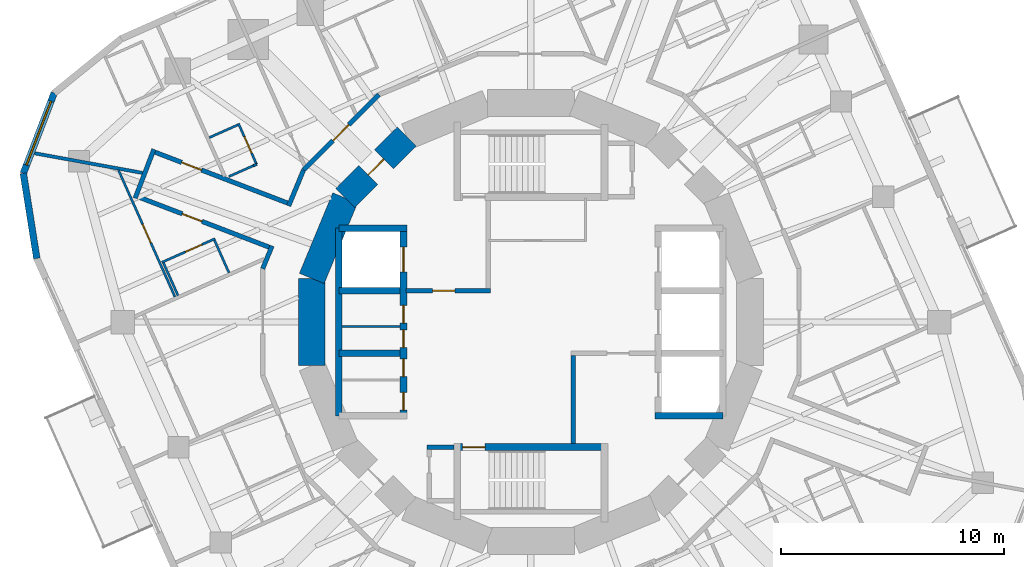
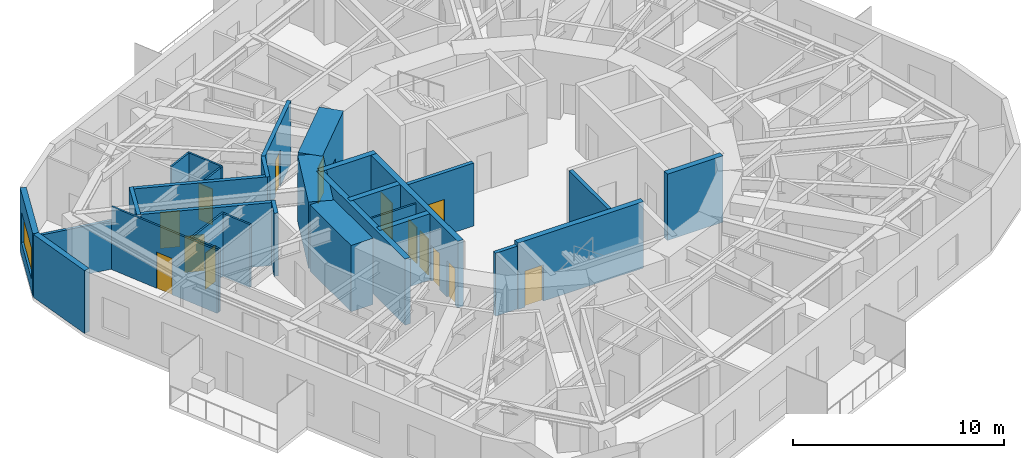
# One storey, part 6 of 12: 31 walls, 14 doors, 1 window, 15 openings.
"""IFC4 building model written with IfcOpenShell, lengths in metres."""

from ifc_helpers import new_model, si_unit, direction, frame, frame_2d, origin, place, context, subcontext, project, spatial, rectangle, extrude, material, layer, layer_set, type_object, element, fill, save


model = new_model("IFC4")

# Units and contexts
model_context = context("Model", 3, precision=1e-05, world=origin(), true_north=direction((0.0, 1.0)))
body_context = subcontext(model_context, "Body", "Model", "MODEL_VIEW")
ifc_project = project(units=[si_unit("LENGTHUNIT", "METRE"), si_unit("AREAUNIT", "SQUARE_METRE"), si_unit("VOLUMEUNIT", "CUBIC_METRE"), si_unit("PLANEANGLEUNIT", "RADIAN"), si_unit("MASSUNIT", "GRAM", prefix="KILO")], contexts=[model_context])

# Site, building, storey
site_placement = place(None, origin())
site = spatial("IfcSite", under=ifc_project, at=site_placement, CompositionType="ELEMENT")
building_placement = place(site_placement, origin())
building = spatial("IfcBuilding", under=site, at=building_placement, Name="Nakasero Lantern House", CompositionType="ELEMENT")
storey_placement = place(building_placement, frame((0.0, 0.0, 213.25)))
storey = spatial("IfcBuildingStorey", under=building, at=storey_placement, Name="L52", CompositionType="ELEMENT", Elevation=213.25)

# Wall, openings, doors
ifc_material_1 = material(Name="Concrete C50/60", Category="concrete")
ifc_layer_1 = layer(ifc_material_1, 0.300048828125)
ifc_layer_set_1 = layer_set([ifc_layer_1], Name="Core inner wall 300")
wall_type_1 = type_object("IfcWallType", Name="Core inner wall 300", PredefinedType="SHEAR", material=ifc_layer_set_1)
wall_1_placement = place(storey_placement, frame((-5.699951171875, -4.199951171875, 0.0), z_axis=(0.0, 0.0, 1.0), x_axis=(0.0, 1.0, 0.0)))
wall_1 = element("IfcWall", 1, at=wall_1_placement, inside=storey, type_object=wall_type_1, Name="Core inner wall L52 LW", PredefinedType="SHEAR", context=body_context, shape_type="SweptSolid", body=[
    extrude(rectangle(XDim=8.39990234375, YDim=0.300048828125, at=frame_2d((4.199951171875, 0.0))), origin(), (0.0, 0.0, 1.0), 3.85009765625),
])
opening_1_placement = place(wall_1_placement, frame((0.25, 0.0, 0.0)))
opening_1 = element("IfcOpeningElement", 2, at=opening_1_placement, cuts=wall_1, Name="Opening D19", PredefinedType="OPENING", context=body_context, shape_type="SweptSolid", body=[
    extrude(rectangle(XDim=0.800048828125, YDim=2.10009765625, at=frame_2d((0.39990234375, 1.050048828125))), frame((0.0, 0.169921875, 0.0), z_axis=(0.0, -1.0, 0.0), x_axis=(1.0, 0.0, 0.0)), (0.0, 0.0, 1.0), 0.340087890625),
])
opening_2_placement = place(wall_1_placement, frame((1.75, 0.0, 0.0)))
opening_2 = element("IfcOpeningElement", 3, at=opening_2_placement, cuts=wall_1, Name="Opening D15", PredefinedType="OPENING", context=body_context, shape_type="SweptSolid", body=[
    extrude(rectangle(XDim=0.800048828125, YDim=2.10009765625, at=frame_2d((0.39990234375, 1.050048828125))), frame((0.0, 0.169921875, 0.0), z_axis=(0.0, -1.0, 0.0), x_axis=(1.0, 0.0, 0.0)), (0.0, 0.0, 1.0), 0.340087890625),
])
opening_3_placement = place(wall_1_placement, frame((3.050048828125, 0.0, 0.0)))
opening_3 = element("IfcOpeningElement", 4, at=opening_3_placement, cuts=wall_1, Name="Opening D15", PredefinedType="OPENING", context=body_context, shape_type="SweptSolid", body=[
    extrude(rectangle(XDim=0.800048828125, YDim=2.10009765625, at=frame_2d((0.39990234375, 1.050048828125))), frame((0.0, 0.169921875, 0.0), z_axis=(0.0, -1.0, 0.0), x_axis=(1.0, 0.0, 0.0)), (0.0, 0.0, 1.0), 0.340087890625),
])
opening_4_placement = place(wall_1_placement, frame((4.14990234375, 0.0, 0.0)))
opening_4 = element("IfcOpeningElement", 5, at=opening_4_placement, cuts=wall_1, Name="Opening D15", PredefinedType="OPENING", context=body_context, shape_type="SweptSolid", body=[
    extrude(rectangle(XDim=0.800048828125, YDim=2.10009765625, at=frame_2d((0.39990234375, 1.050048828125))), frame((0.0, 0.169921875, 0.0), z_axis=(0.0, -1.0, 0.0), x_axis=(1.0, 0.0, 0.0)), (0.0, 0.0, 1.0), 0.340087890625),
])
opening_5_placement = place(wall_1_placement, frame((6.449951171875, 0.0, 0.0)))
opening_5 = element("IfcOpeningElement", 6, at=opening_5_placement, cuts=wall_1, Name="Opening LD", PredefinedType="OPENING", context=body_context, shape_type="SweptSolid", body=[
    extrude(rectangle(XDim=1.10009765625, YDim=2.10009765625, at=frame_2d((0.550048828125, 1.050048828125))), frame((0.0, 0.169921875, 0.0), z_axis=(0.0, -1.0, 0.0), x_axis=(1.0, 0.0, 0.0)), (0.0, 0.0, 1.0), 0.340087890625),
])
ifc_material_2 = material(Name="Timber C24", Category="wood")
door_type_1 = type_object("IfcDoorType", Name="Cleaner's store door FD30S 800", OperationType="SINGLE_SWING_LEFT", PredefinedType="DOOR", material=ifc_material_2)
door_1_placement = place(opening_2_placement, origin())
door_1 = element("IfcDoor", 7, at=door_1_placement, inside=storey, type_object=door_type_1, Name="Door L52 D-SH-LW1b", OperationType="SINGLE_SWING_LEFT", OverallHeight=2.10009765625, OverallWidth=0.800048828125, PredefinedType="DOOR", context=body_context, shape_type="SweptSolid", body=[
    extrude(rectangle(XDim=0.800048828125, YDim=2.10009765625, at=frame_2d((0.39990234375, 1.050048828125))), frame((0.0, 0.02490234375, 0.0), z_axis=(0.0, -1.0, 0.0), x_axis=(1.0, 0.0, 0.0)), (0.0, 0.0, 1.0), 0.050048828125),
])
fill(opening_2, door_1)
door_2_placement = place(opening_3_placement, origin())
door_2 = element("IfcDoor", 8, at=door_2_placement, inside=storey, type_object=door_type_1, Name="Door L52 D-SH-LW2a", OperationType="SINGLE_SWING_LEFT", OverallHeight=2.10009765625, OverallWidth=0.800048828125, PredefinedType="DOOR", context=body_context, shape_type="SweptSolid", body=[
    extrude(rectangle(XDim=0.800048828125, YDim=2.10009765625, at=frame_2d((0.39990234375, 1.050048828125))), frame((0.0, 0.02490234375, 0.0), z_axis=(0.0, -1.0, 0.0), x_axis=(1.0, 0.0, 0.0)), (0.0, 0.0, 1.0), 0.050048828125),
])
fill(opening_3, door_2)
door_3_placement = place(opening_4_placement, origin())
door_3 = element("IfcDoor", 9, at=door_3_placement, inside=storey, type_object=door_type_1, Name="Door L52 D-SH-LW2b", OperationType="SINGLE_SWING_RIGHT", OverallHeight=2.10009765625, OverallWidth=0.800048828125, PredefinedType="DOOR", context=body_context, shape_type="SweptSolid", body=[
    extrude(rectangle(XDim=0.800048828125, YDim=2.10009765625, at=frame_2d((0.39990234375, 1.050048828125))), frame((0.0, 0.02490234375, 0.0), z_axis=(0.0, -1.0, 0.0), x_axis=(1.0, 0.0, 0.0)), (0.0, 0.0, 1.0), 0.050048828125),
])
fill(opening_4, door_3)
ifc_material_3 = material(Name="Steel S355", Category="steel")
door_type_2 = type_object("IfcDoorType", Name="Lift landing door E120 1100", OperationType="SLIDING_TO_LEFT", PredefinedType="DOOR", material=ifc_material_3)
door_4_placement = place(opening_5_placement, origin())
door_4 = element("IfcDoor", 10, at=door_4_placement, inside=storey, type_object=door_type_2, Name="Lift landing door LW3", OperationType="SLIDING_TO_LEFT", OverallHeight=2.10009765625, OverallWidth=1.10009765625, PredefinedType="DOOR", context=body_context, shape_type="SweptSolid", body=[
    extrude(rectangle(XDim=1.10009765625, YDim=2.10009765625, at=frame_2d((0.550048828125, 1.050048828125))), frame((0.0, 0.02490234375, 0.0), z_axis=(0.0, -1.0, 0.0), x_axis=(1.0, 0.0, 0.0)), (0.0, 0.0, 1.0), 0.050048828125),
])
fill(opening_5, door_4)
ifc_material_4 = material(Name="Steel S355", Category="steel")
door_type_3 = type_object("IfcDoorType", Name="Plant room door FD60 800", OperationType="SINGLE_SWING_LEFT", PredefinedType="DOOR", material=ifc_material_4)
door_5_placement = place(opening_1_placement, origin())
door_5 = element("IfcDoor", 11, at=door_5_placement, inside=storey, type_object=door_type_3, Name="Door L52 D-SH-LW1a", OperationType="SINGLE_SWING_LEFT", OverallHeight=2.10009765625, OverallWidth=0.800048828125, PredefinedType="DOOR", context=body_context, shape_type="SweptSolid", body=[
    extrude(rectangle(XDim=0.800048828125, YDim=2.10009765625, at=frame_2d((0.39990234375, 1.050048828125))), frame((0.0, 0.02490234375, 0.0), z_axis=(0.0, -1.0, 0.0), x_axis=(1.0, 0.0, 0.0)), (0.0, 0.0, 1.0), 0.050048828125),
])
fill(opening_1, door_5)

# Walls
for number, where, z_axis, x_axis, name in (
    (12, (-8.60009765625, 4.199951171875, 0.0), (0.0, 0.0, 1.0), (1.0, 0.0, 0.0), "Core inner wall L52 LWN"),
    (13, (5.550048828125, -4.199951171875, 0.0), (0.0, 0.0, 1.0), (1.0, 0.0, 0.0), "Core inner wall L52 LES"),
):
    element("IfcWall", number, at=place(storey_placement, frame(where, z_axis=z_axis, x_axis=x_axis)), inside=storey, type_object=wall_type_1, Name=name, PredefinedType="SHEAR", context=body_context, shape_type="SweptSolid", body=[
        extrude(rectangle(XDim=3.050048828125, YDim=0.300048828125, at=frame_2d((1.52490234375, 0.0))), origin(), (0.0, 0.0, 1.0), 3.85009765625),
    ])
wall_2_placement = place(storey_placement, frame((-8.60009765625, -4.199951171875, 0.0), z_axis=(0.0, 0.0, 1.0), x_axis=(0.0, 1.0, 0.0)))
element("IfcWall", 14, at=wall_2_placement, inside=storey, type_object=wall_type_1, Name="Core inner wall L52 LWB", PredefinedType="SHEAR", context=body_context, shape_type="SweptSolid", body=[
    extrude(rectangle(XDim=8.39990234375, YDim=0.300048828125, at=frame_2d((4.199951171875, 0.0))), origin(), (0.0, 0.0, 1.0), 3.85009765625),
])
for number, where, z_axis, x_axis, name in (
    (15, (-8.60009765625, -1.39990234375, 0.0), (0.0, 0.0, 1.0), (1.0, 0.0, 0.0), "Core inner wall L52 LW1"),
    (16, (-8.60009765625, 1.39990234375, 0.0), (0.0, 0.0, 1.0), (1.0, 0.0, 0.0), "Core inner wall L52 LW2"),
):
    element("IfcWall", number, at=place(storey_placement, frame(where, z_axis=z_axis, x_axis=x_axis)), inside=storey, type_object=wall_type_1, Name=name, PredefinedType="SHEAR", context=body_context, shape_type="SweptSolid", body=[
        extrude(rectangle(XDim=2.75, YDim=0.300048828125, at=frame_2d((1.375, 0.0))), origin(), (0.0, 0.0, 1.0), 3.85009765625),
    ])

# Wall, opening, door
wall_3_placement = place(storey_placement, frame((-3.449951171875, -5.60009765625, 0.0), z_axis=(0.0, 0.0, 1.0), x_axis=(1.0, 0.0, 0.0)))
wall_3 = element("IfcWall", 17, at=wall_3_placement, inside=storey, type_object=wall_type_1, Name="Core inner wall L52 SS", PredefinedType="SHEAR", context=body_context, shape_type="SweptSolid", body=[
    extrude(rectangle(XDim=6.89990234375, YDim=0.300048828125, at=frame_2d((3.449951171875, 0.0))), origin(), (0.0, 0.0, 1.0), 3.85009765625),
])
opening_6_placement = place(wall_3_placement, frame((0.39990234375, 0.0, 0.0)))
opening_6 = element("IfcOpeningElement", 18, at=opening_6_placement, cuts=wall_3, Name="Opening D05", PredefinedType="OPENING", context=body_context, shape_type="SweptSolid", body=[
    extrude(rectangle(XDim=1.0, YDim=2.10009765625, at=frame_2d((0.5, 1.050048828125))), frame((0.0, 0.169921875, 0.0), z_axis=(0.0, -1.0, 0.0), x_axis=(1.0, 0.0, 0.0)), (0.0, 0.0, 1.0), 0.340087890625),
])
ifc_material_5 = material(Name="Timber C24", Category="wood")
door_type_4 = type_object("IfcDoorType", Name="Core door FD60S 1000", OperationType="SINGLE_SWING_LEFT", PredefinedType="DOOR", material=ifc_material_5)
door_6_placement = place(opening_6_placement, origin())
door_6 = element("IfcDoor", 19, at=door_6_placement, inside=storey, type_object=door_type_4, Name="Door L52 D-ST2", OperationType="SINGLE_SWING_LEFT", OverallHeight=2.10009765625, OverallWidth=1.0, PredefinedType="DOOR", context=body_context, shape_type="SweptSolid", body=[
    extrude(rectangle(XDim=1.0, YDim=2.10009765625, at=frame_2d((0.5, 1.050048828125))), frame((0.0, 0.02490234375, 0.0), z_axis=(0.0, -1.0, 0.0), x_axis=(1.0, 0.0, 0.0)), (0.0, 0.0, 1.0), 0.050048828125),
])
fill(opening_6, door_6)

# Wall
ifc_material_6 = material(Name="Blockwork", Category="masonry")
ifc_layer_2 = layer(ifc_material_6, 0.10009765625)
ifc_layer_set_2 = layer_set([ifc_layer_2], Name="Core room wall 100")
wall_type_2 = type_object("IfcWallType", Name="Core room wall 100", PredefinedType="PARTITIONING", material=ifc_layer_set_2)
wall_4_placement = place(storey_placement, frame((-8.449951171875, -0.199951171875, 0.0), z_axis=(0.0, 0.0, 1.0), x_axis=(1.0, 0.0, 0.0)))
element("IfcWall", 20, at=wall_4_placement, inside=storey, type_object=wall_type_2, Name="Core room wall L52 CR-SH-LW2b", PredefinedType="PARTITIONING", context=body_context, shape_type="SweptSolid", body=[
    extrude(rectangle(XDim=2.599853515625, YDim=0.10009765625, at=frame_2d((1.2998046875, 0.0))), origin(), (0.0, 0.0, 1.0), 3.64990234375),
])

# Wall, opening, door
ifc_material_7 = material(Name="Concrete C50/60", Category="concrete")
ifc_layer_3 = layer(ifc_material_7, 1.199951171875)
ifc_layer_set_3 = layer_set([ifc_layer_3], Name="Core wall 1200")
wall_type_3 = type_object("IfcWallType", Name="Core wall 1200", PredefinedType="SHEAR", material=ifc_layer_set_3)
wall_5_placement = place(storey_placement, frame((-5.5556640625, 8.314697265625, 0.0), z_axis=(0.0, 0.0, 1.0), x_axis=(-0.707106781187, -0.707106781187, 0.0)))
wall_5 = element("IfcWall", 21, at=wall_5_placement, inside=storey, type_object=wall_type_3, Name="Core wall L52 facet 6", PredefinedType="SHEAR", context=body_context, shape_type="SweptSolid", body=[
    extrude(rectangle(XDim=3.90185546875, YDim=1.199951171875, at=frame_2d((1.950927734375, 0.0))), origin(), (0.0, 0.0, 1.0), 3.85009765625),
])
opening_7_placement = place(wall_5_placement, frame((1.450927734375, 0.0, 0.0)))
opening_7 = element("IfcOpeningElement", 22, at=opening_7_placement, cuts=wall_5, Name="Opening D05", PredefinedType="OPENING", context=body_context, shape_type="SweptSolid", body=[
    extrude(rectangle(XDim=1.0, YDim=2.10009765625, at=frame_2d((0.5, 1.050048828125))), frame((0.0, 0.619873046875, 0.0), z_axis=(0.0, -1.0, 0.0), x_axis=(1.0, 0.0, 0.0)), (0.0, 0.0, 1.0), 1.239990234375),
])
door_7_placement = place(opening_7_placement, origin())
door_7 = element("IfcDoor", 23, at=door_7_placement, inside=storey, type_object=door_type_4, Name="Door L52 D-CORE06", OperationType="SINGLE_SWING_LEFT", OverallHeight=2.10009765625, OverallWidth=1.0, PredefinedType="DOOR", context=body_context, shape_type="SweptSolid", body=[
    extrude(rectangle(XDim=1.0, YDim=2.10009765625, at=frame_2d((0.5, 1.050048828125))), frame((0.0, 0.02490234375, 0.0), z_axis=(0.0, -1.0, 0.0), x_axis=(1.0, 0.0, 0.0)), (0.0, 0.0, 1.0), 0.050048828125),
])
fill(opening_7, door_7)

# Walls
for number, where, z_axis, x_axis, name in (
    (24, (-8.314697265625, 5.5556640625, 0.0), (0.0, 0.0, 1.0), (-0.382690736062, -0.923876507187, 0.0), "Core wall L52 facet 7"),
    (25, (-9.807861328125, 1.950927734375, 0.0), (0.0, 0.0, 1.0), (0.0, -1.0, 0.0), "Core wall L52 facet 8"),
):
    element("IfcWall", number, at=place(storey_placement, frame(where, z_axis=z_axis, x_axis=x_axis)), inside=storey, type_object=wall_type_3, Name=name, PredefinedType="SHEAR", context=body_context, shape_type="SweptSolid", body=[
        extrude(rectangle(XDim=3.90185546875, YDim=1.199951171875, at=frame_2d((1.950927734375, 0.0))), origin(), (0.0, 0.0, 1.0), 3.85009765625),
    ])
ifc_material_8 = material(Name="Blockwork", Category="masonry")
ifc_layer_4 = layer(ifc_material_8, 0.199951171875)
ifc_layer_set_4 = layer_set([ifc_layer_4], Name="Corridor wall 200")
wall_type_4 = type_object("IfcWallType", Name="Corridor wall 200", PredefinedType="PARTITIONING", material=ifc_layer_set_4)
wall_6_placement = place(storey_placement, frame((-12.0078125, 2.388427734375, 0.0), z_axis=(0.0, 0.0, 1.0), x_axis=(0.382651327736, 0.923892830031, 0.0)))
element("IfcWall", 26, at=wall_6_placement, inside=storey, type_object=wall_type_4, Name="Corridor wall L52 RC09a", PredefinedType="PARTITIONING", context=body_context, shape_type="SweptSolid", body=[
    extrude(rectangle(XDim=1.103759765625, YDim=0.199951171875, at=frame_2d((0.5517578125, 0.0))), origin(), (0.0, 0.0, 1.0), 3.64990234375),
])
wall_7_placement = place(storey_placement, frame((-10.8427734375, 5.201171875, 0.0), z_axis=(0.0, 0.0, 1.0), x_axis=(0.382683633391, 0.923879449244, 0.0)))
element("IfcWall", 27, at=wall_7_placement, inside=storey, type_object=wall_type_4, Name="Corridor wall L52 RC09b", PredefinedType="PARTITIONING", context=body_context, shape_type="SweptSolid", body=[
    extrude(rectangle(XDim=1.732666015625, YDim=0.199951171875, at=frame_2d((0.8662109375, 0.0))), origin(), (0.0, 0.0, 1.0), 3.64990234375),
])

# Wall, opening, door
wall_8_placement = place(storey_placement, frame((-10.1796875, 6.802001953125, 0.0), z_axis=(0.0, 0.0, 1.0), x_axis=(0.707106781187, 0.707106781187, 0.0)))
wall_8 = element("IfcWall", 28, at=wall_8_placement, inside=storey, type_object=wall_type_4, Name="Corridor wall L52 RC10a", PredefinedType="PARTITIONING", context=body_context, shape_type="SweptSolid", body=[
    extrude(rectangle(XDim=4.77685546875, YDim=0.199951171875, at=frame_2d((2.388427734375, 0.0))), origin(), (0.0, 0.0, 1.0), 3.64990234375),
])
opening_8_placement = place(wall_8_placement, frame((1.8701171875, 0.0, 0.0)))
opening_8 = element("IfcOpeningElement", 29, at=opening_8_placement, cuts=wall_8, Name="Opening D14", PredefinedType="OPENING", context=body_context, shape_type="SweptSolid", body=[
    extrude(rectangle(XDim=1.0, YDim=2.10009765625, at=frame_2d((0.5, 1.050048828125))), frame((0.0, 0.119873046875, 0.0), z_axis=(0.0, -1.0, 0.0), x_axis=(1.0, 0.0, 0.0)), (0.0, 0.0, 1.0), 0.239990234375),
])
ifc_material_9 = material(Name="Timber C24", Category="wood")
door_type_5 = type_object("IfcDoorType", Name="Cluster entrance door FD30S 1000", OperationType="SINGLE_SWING_LEFT", PredefinedType="DOOR", material=ifc_material_9)
door_8_placement = place(opening_8_placement, origin())
door_8 = element("IfcDoor", 30, at=door_8_placement, inside=storey, type_object=door_type_5, Name="Door L52 D1-04", OperationType="SINGLE_SWING_LEFT", OverallHeight=2.10009765625, OverallWidth=1.0, PredefinedType="DOOR", context=body_context, shape_type="SweptSolid", body=[
    extrude(rectangle(XDim=1.0, YDim=2.10009765625, at=frame_2d((0.5, 1.050048828125))), frame((0.0, 0.02490234375, 0.0), z_axis=(0.0, -1.0, 0.0), x_axis=(1.0, 0.0, 0.0)), (0.0, 0.0, 1.0), 0.050048828125),
])
fill(opening_8, door_8)

wall_9_placement = place(storey_placement, frame((-10.804443359375, 5.293701171875, 0.0), z_axis=(0.0, 0.0, 1.0), x_axis=(-0.933585954752, 0.358353547616, 0.0)))
wall_9 = element("IfcWall", 31, at=wall_9_placement, inside=storey, type_object=wall_type_4, Name="Corridor wall L52 SP1a", PredefinedType="PARTITIONING", context=body_context, shape_type="SweptSolid", body=[
    extrude(rectangle(XDim=6.643798828125, YDim=0.199951171875, at=frame_2d((3.32177734375, 0.0))), origin(), (0.0, 0.0, 1.0), 3.64990234375),
])
opening_9_placement = place(wall_9_placement, frame((4.219970703125, 0.0, 0.0)))
opening_9 = element("IfcOpeningElement", 32, at=opening_9_placement, cuts=wall_9, Name="Opening D01", PredefinedType="OPENING", context=body_context, shape_type="SweptSolid", body=[
    extrude(rectangle(XDim=0.949951171875, YDim=2.10009765625, at=frame_2d((0.47509765625, 1.050048828125))), frame((0.0, 0.119873046875, 0.0), z_axis=(0.0, -1.0, 0.0), x_axis=(1.0, 0.0, 0.0)), (0.0, 0.0, 1.0), 0.239990234375),
])
ifc_material_10 = material(Name="Timber C24", Category="wood")
door_type_6 = type_object("IfcDoorType", Name="Bedroom door FD30S 950", OperationType="SINGLE_SWING_LEFT", PredefinedType="DOOR", material=ifc_material_10)
door_9_placement = place(opening_9_placement, origin())
door_9 = element("IfcDoor", 33, at=door_9_placement, inside=storey, type_object=door_type_6, Name="Door L52 D1-06", OperationType="SINGLE_SWING_RIGHT", OverallHeight=2.10009765625, OverallWidth=0.949951171875, PredefinedType="DOOR", context=body_context, shape_type="SweptSolid", body=[
    extrude(rectangle(XDim=0.949951171875, YDim=2.10009765625, at=frame_2d((0.47509765625, 1.050048828125))), frame((0.0, 0.02490234375, 0.0), z_axis=(0.0, -1.0, 0.0), x_axis=(1.0, 0.0, 0.0)), (0.0, 0.0, 1.0), 0.050048828125),
])
fill(opening_9, door_9)

wall_10_placement = place(storey_placement, frame((-11.623779296875, 3.31591796875, 0.0), z_axis=(0.0, 0.0, 1.0), x_axis=(-0.933579421016, 0.358370568903, 0.0)))
wall_10 = element("IfcWall", 34, at=wall_10_placement, inside=storey, type_object=wall_type_4, Name="Corridor wall L52 SP1b", PredefinedType="PARTITIONING", context=body_context, shape_type="SweptSolid", body=[
    extrude(rectangle(XDim=6.587646484375, YDim=0.199951171875, at=frame_2d((3.2939453125, 0.0))), origin(), (0.0, 0.0, 1.0), 3.64990234375),
])
opening_10_placement = place(wall_10_placement, frame((3.320068359375, 0.0, 0.0)))
opening_10 = element("IfcOpeningElement", 35, at=opening_10_placement, cuts=wall_10, Name="Opening D01", PredefinedType="OPENING", context=body_context, shape_type="SweptSolid", body=[
    extrude(rectangle(XDim=0.949951171875, YDim=2.10009765625, at=frame_2d((0.47509765625, 1.050048828125))), frame((0.0, 0.119873046875, 0.0), z_axis=(0.0, -1.0, 0.0), x_axis=(1.0, 0.0, 0.0)), (0.0, 0.0, 1.0), 0.239990234375),
])
door_10_placement = place(opening_10_placement, origin())
door_10 = element("IfcDoor", 36, at=door_10_placement, inside=storey, type_object=door_type_6, Name="Door L52 D2-00", OperationType="SINGLE_SWING_RIGHT", OverallHeight=2.10009765625, OverallWidth=0.949951171875, PredefinedType="DOOR", context=body_context, shape_type="SweptSolid", body=[
    extrude(rectangle(XDim=0.949951171875, YDim=2.10009765625, at=frame_2d((0.47509765625, 1.050048828125))), frame((0.0, 0.02490234375, 0.0), z_axis=(0.0, -1.0, 0.0), x_axis=(1.0, 0.0, 0.0)), (0.0, 0.0, 1.0), 0.050048828125),
])
fill(opening_10, door_10)

# Wall
wall_11_placement = place(storey_placement, frame((-16.8779296875, 7.73193359375, 0.0), z_axis=(0.0, 0.0, 1.0), x_axis=(-0.35838473722, -0.933573982139, 0.0)))
element("IfcWall", 37, at=wall_11_placement, inside=storey, type_object=wall_type_4, Name="Corridor wall L52 SP1e", PredefinedType="PARTITIONING", context=body_context, shape_type="SweptSolid", body=[
    extrude(rectangle(XDim=2.340087890625, YDim=0.199951171875, at=frame_2d((1.169921875, 0.0))), origin(), (0.0, 0.0, 1.0), 3.64990234375),
])

# Wall, opening, door
ifc_material_11 = material(Name="Blockwork", Category="masonry")
ifc_layer_5 = layer(ifc_material_11, 0.10009765625)
ifc_layer_set_5 = layer_set([ifc_layer_5], Name="En-suite wall 100")
wall_type_5 = type_object("IfcWallType", Name="En-suite wall 100", PredefinedType="PARTITIONING", material=ifc_layer_set_5)
wall_12_placement = place(storey_placement, frame((-12.280029296875, 7.0654296875, 0.0), z_axis=(0.0, 0.0, 1.0), x_axis=(-0.406772684097, 0.913529410294, 0.0)))
wall_12 = element("IfcWall", 38, at=wall_12_placement, inside=storey, type_object=wall_type_5, Name="En-suite wall L52 ES1-05", PredefinedType="PARTITIONING", context=body_context, shape_type="SweptSolid", body=[
    extrude(rectangle(XDim=1.999755859375, YDim=0.10009765625, at=frame_2d((1.0, 0.0))), origin(), (0.0, 0.0, 1.0), 3.64990234375),
])
opening_11_placement = place(wall_12_placement, frame((0.550048828125, 0.0, 0.0)))
opening_11 = element("IfcOpeningElement", 39, at=opening_11_placement, cuts=wall_12, Name="Opening D02", PredefinedType="OPENING", context=body_context, shape_type="SweptSolid", body=[
    extrude(rectangle(XDim=0.800048828125, YDim=2.10009765625, at=frame_2d((0.39990234375, 1.050048828125))), frame((0.0, 0.070068359375, 0.0), z_axis=(0.0, -1.0, 0.0), x_axis=(1.0, 0.0, 0.0)), (0.0, 0.0, 1.0), 0.14013671875),
])
ifc_material_12 = material(Name="Timber C24", Category="wood")
door_type_7 = type_object("IfcDoorType", Name="En-suite door 800", OperationType="SINGLE_SWING_RIGHT", PredefinedType="DOOR", material=ifc_material_12)
door_11_placement = place(opening_11_placement, origin())
door_11 = element("IfcDoor", 40, at=door_11_placement, inside=storey, type_object=door_type_7, Name="Door L52 DE1-05", OperationType="SINGLE_SWING_LEFT", OverallHeight=2.10009765625, OverallWidth=0.800048828125, PredefinedType="DOOR", context=body_context, shape_type="SweptSolid", body=[
    extrude(rectangle(XDim=0.800048828125, YDim=2.10009765625, at=frame_2d((0.39990234375, 1.050048828125))), frame((0.0, 0.02490234375, 0.0), z_axis=(0.0, -1.0, 0.0), x_axis=(1.0, 0.0, 0.0)), (0.0, 0.0, 1.0), 0.050048828125),
])
fill(opening_11, door_11)

# Wall
wall_13_placement = place(storey_placement, frame((-13.118896484375, 8.826416015625, 0.0), z_axis=(0.0, 0.0, 1.0), x_axis=(-0.91358129113, -0.406656150203, 0.0)))
element("IfcWall", 41, at=wall_13_placement, inside=storey, type_object=wall_type_5, Name="En-suite wall L52 EE1-05", PredefinedType="PARTITIONING", context=body_context, shape_type="SweptSolid", body=[
    extrude(rectangle(XDim=1.400146484375, YDim=0.10009765625, at=frame_2d((0.7001953125, 0.0))), origin(), (0.0, 0.0, 1.0), 3.64990234375),
])

# Wall, opening, door
wall_14_placement = place(storey_placement, frame((-14.14013671875, 3.731689453125, 0.0), z_axis=(0.0, 0.0, 1.0), x_axis=(-0.913532543723, -0.406765646974, 0.0)))
wall_14 = element("IfcWall", 42, at=wall_14_placement, inside=storey, type_object=wall_type_5, Name="En-suite wall L52 ES2-00", PredefinedType="PARTITIONING", context=body_context, shape_type="SweptSolid", body=[
    extrude(rectangle(XDim=2.60009765625, YDim=0.10009765625, at=frame_2d((1.300048828125, 0.0))), origin(), (0.0, 0.0, 1.0), 3.64990234375),
])
opening_12_placement = place(wall_14_placement, frame((0.64990234375, 0.0, 0.0)))
opening_12 = element("IfcOpeningElement", 43, at=opening_12_placement, cuts=wall_14, Name="Opening D02", PredefinedType="OPENING", context=body_context, shape_type="SweptSolid", body=[
    extrude(rectangle(XDim=0.800048828125, YDim=2.10009765625, at=frame_2d((0.39990234375, 1.050048828125))), frame((0.0, 0.070068359375, 0.0), z_axis=(0.0, -1.0, 0.0), x_axis=(1.0, 0.0, 0.0)), (0.0, 0.0, 1.0), 0.14013671875),
])
door_12_placement = place(opening_12_placement, origin())
door_12 = element("IfcDoor", 44, at=door_12_placement, inside=storey, type_object=door_type_7, Name="Door L52 DE2-00", OperationType="SINGLE_SWING_LEFT", OverallHeight=2.10009765625, OverallWidth=0.800048828125, PredefinedType="DOOR", context=body_context, shape_type="SweptSolid", body=[
    extrude(rectangle(XDim=0.800048828125, YDim=2.10009765625, at=frame_2d((0.39990234375, 1.050048828125))), frame((0.0, 0.02490234375, 0.0), z_axis=(0.0, -1.0, 0.0), x_axis=(1.0, 0.0, 0.0)), (0.0, 0.0, 1.0), 0.050048828125),
])
fill(opening_12, door_12)

# Walls
wall_15_placement = place(storey_placement, frame((-16.449462890625, 2.648681640625, 0.0), z_axis=(0.0, 0.0, 1.0), x_axis=(0.40678959877, -0.913521878409, 0.0)))
element("IfcWall", 45, at=wall_15_placement, inside=storey, type_object=wall_type_5, Name="En-suite wall L52 EE2-00", PredefinedType="PARTITIONING", context=body_context, shape_type="SweptSolid", body=[
    extrude(rectangle(XDim=1.60009765625, YDim=0.10009765625, at=frame_2d((0.800048828125, 0.0))), origin(), (0.0, 0.0, 1.0), 3.64990234375),
])
wall_16_placement = place(storey_placement, frame((-14.16552734375, 3.66552734375, 0.0), z_axis=(0.0, 0.0, 1.0), x_axis=(0.406662251972, -0.913578575067, 0.0)))
element("IfcWall", 46, at=wall_16_placement, inside=storey, type_object=wall_type_5, Name="En-suite wall L52 EI2-00", PredefinedType="PARTITIONING", context=body_context, shape_type="SweptSolid", body=[
    extrude(rectangle(XDim=1.599853515625, YDim=0.10009765625, at=frame_2d((0.7998046875, 0.0))), origin(), (0.0, 0.0, 1.0), 3.64990234375),
])

# Wall, opening, door
wall_17_placement = place(storey_placement, frame((-18.45947265625, 6.79443359375, 0.0), z_axis=(0.0, 0.0, 1.0), x_axis=(0.406726147728, -0.9135501304, 0.0)))
wall_17 = element("IfcWall", 47, at=wall_17_placement, inside=storey, type_object=wall_type_5, Name="En-suite wall L52 EL2-00", PredefinedType="PARTITIONING", context=body_context, shape_type="SweptSolid", body=[
    extrude(rectangle(XDim=6.204833984375, YDim=0.10009765625, at=frame_2d((3.1025390625, 0.0))), origin(), (0.0, 0.0, 1.0), 3.64990234375),
])
opening_13_placement = place(wall_17_placement, frame((2.65234375, 0.0, 0.0)))
opening_13 = element("IfcOpeningElement", 48, at=opening_13_placement, cuts=wall_17, Name="Opening D17", PredefinedType="OPENING", context=body_context, shape_type="SweptSolid", body=[
    extrude(rectangle(XDim=0.89990234375, YDim=2.10009765625, at=frame_2d((0.449951171875, 1.050048828125))), frame((0.0, 0.070068359375, 0.0), z_axis=(0.0, -1.0, 0.0), x_axis=(1.0, 0.0, 0.0)), (0.0, 0.0, 1.0), 0.14013671875),
])
ifc_material_13 = material(Name="Timber C24", Category="wood")
door_type_8 = type_object("IfcDoorType", Name="Bedroom door FD30S 900", OperationType="SINGLE_SWING_LEFT", PredefinedType="DOOR", material=ifc_material_13)
door_13_placement = place(opening_13_placement, origin())
door_13 = element("IfcDoor", 49, at=door_13_placement, inside=storey, type_object=door_type_8, Name="Door L52 DL2-00", OperationType="SINGLE_SWING_LEFT", OverallHeight=2.10009765625, OverallWidth=0.89990234375, PredefinedType="DOOR", context=body_context, shape_type="SweptSolid", body=[
    extrude(rectangle(XDim=0.89990234375, YDim=2.10009765625, at=frame_2d((0.449951171875, 1.050048828125))), frame((0.0, 0.02490234375, 0.0), z_axis=(0.0, -1.0, 0.0), x_axis=(1.0, 0.0, 0.0)), (0.0, 0.0, 1.0), 0.050048828125),
])
fill(opening_13, door_13)

# Walls
wall_18_placement = place(storey_placement, frame((-13.527099609375, 6.510009765625, 0.0), z_axis=(0.0, 0.0, 1.0), x_axis=(0.913510535277, 0.406815070933, 0.0)))
element("IfcWall", 50, at=wall_18_placement, inside=storey, type_object=wall_type_5, Name="En-suite wall L52 EX001", PredefinedType="PARTITIONING", context=body_context, shape_type="SweptSolid", body=[
    extrude(rectangle(XDim=1.205078125, YDim=0.10009765625, at=frame_2d((0.6025390625, 0.0))), origin(), (0.0, 0.0, 1.0), 3.64990234375),
])
wall_19_placement = place(storey_placement, frame((-12.280029296875, 7.0654296875, 0.0), z_axis=(0.0, 0.0, 1.0), x_axis=(-0.913370855971, -0.407128578538, 0.0)))
element("IfcWall", 51, at=wall_19_placement, inside=storey, type_object=wall_type_5, Name="En-suite wall L52 ES1-05R0", PredefinedType="PARTITIONING", context=body_context, shape_type="SweptSolid", body=[
    extrude(rectangle(XDim=0.16015625, YDim=0.10009765625, at=frame_2d((0.080078125, 0.0))), origin(), (0.0, 0.0, 1.0), 3.64990234375),
])

# Wall, opening, window
ifc_material_14 = material(Name="Aluminium rainscreen on blockwork", Category="masonry")
ifc_layer_6 = layer(ifc_material_14, 0.300048828125)
ifc_layer_set_6 = layer_set([ifc_layer_6], Name="Facade wall 300")
wall_type_6 = type_object("IfcWallType", Name="Facade wall 300", PredefinedType="SOLIDWALL", material=ifc_layer_set_6)
wall_20_placement = place(storey_placement, frame((-21.342529296875, 10.258056640625, 0.0), z_axis=(0.0, 0.0, 1.0), x_axis=(-0.358321438858, -0.933598278948, 0.0)))
wall_20 = element("IfcWall", 52, at=wall_20_placement, inside=storey, type_object=wall_type_6, Name="Facade wall L52 FW1C2", PredefinedType="SOLIDWALL", context=body_context, shape_type="SweptSolid", body=[
    extrude(rectangle(XDim=3.8564453125, YDim=0.300048828125, at=frame_2d((1.92822265625, 0.0))), origin(), (0.0, 0.0, 1.0), 3.64990234375),
])
opening_14_placement = place(wall_20_placement, frame((0.39990234375, 0.0, 0.75)))
opening_14 = element("IfcOpeningElement", 53, at=opening_14_placement, cuts=wall_20, Name="Opening W230", PredefinedType="OPENING", context=body_context, shape_type="SweptSolid", body=[
    extrude(rectangle(XDim=3.055908203125, YDim=1.800048828125, at=frame_2d((1.52783203125, 0.89990234375))), frame((0.0, 0.169921875, 0.0), z_axis=(0.0, -1.0, 0.0), x_axis=(1.0, 0.0, 0.0)), (0.0, 0.0, 1.0), 0.340087890625),
])
ifc_material_15 = material(Name="Aluminium 6063-T6 and glass", Category="aluminium")
window_type = type_object("IfcWindowType", Name="Corner window 3056x1800", PartitioningType="SINGLE_PANEL", PredefinedType="WINDOW", material=ifc_material_15)
window_placement = place(opening_14_placement, origin())
window = element("IfcWindow", 54, at=window_placement, inside=storey, type_object=window_type, Name="Window L52 WC1", OverallHeight=1.800048828125, OverallWidth=3.055908203125, PartitioningType="SINGLE_PANEL", PredefinedType="WINDOW", context=body_context, shape_type="SweptSolid", body=[
    extrude(rectangle(XDim=3.055908203125, YDim=1.800048828125, at=frame_2d((1.52783203125, 0.89990234375))), frame((0.0, 0.030029296875, 0.0), z_axis=(0.0, -1.0, 0.0), x_axis=(1.0, 0.0, 0.0)), (0.0, 0.0, 1.0), 0.06005859375),
])
fill(opening_14, window)

# Wall
wall_21_placement = place(storey_placement, frame((-22.724365234375, 6.65771484375, 0.0), z_axis=(0.0, 0.0, 1.0), x_axis=(0.156437203878, -0.987687906802, 0.0)))
element("IfcWall", 55, at=wall_21_placement, inside=storey, type_object=wall_type_6, Name="Facade wall L52 FW1C3", PredefinedType="SOLIDWALL", context=body_context, shape_type="SweptSolid", body=[
    extrude(rectangle(XDim=3.856201171875, YDim=0.300048828125, at=frame_2d((1.92822265625, 0.0))), origin(), (0.0, 0.0, 1.0), 3.64990234375),
])

# Wall, opening, door
ifc_material_16 = material(Name="Blockwork", Category="masonry")
ifc_layer_7 = layer(ifc_material_16, 0.199951171875)
ifc_layer_set_7 = layer_set([ifc_layer_7], Name="Fire lobby wall 200")
wall_type_7 = type_object("IfcWallType", Name="Fire lobby wall 200", PredefinedType="PARTITIONING", material=ifc_layer_set_7)
wall_22_placement = place(storey_placement, frame((-5.60009765625, 1.39990234375, 0.0), z_axis=(0.0, 0.0, 1.0), x_axis=(1.0, 0.0, 0.0)))
wall_22 = element("IfcWall", 56, at=wall_22_placement, inside=storey, type_object=wall_type_7, Name="Fire lobby wall L52 W-FL1S", PredefinedType="PARTITIONING", context=body_context, shape_type="SweptSolid", body=[
    extrude(rectangle(XDim=3.800048828125, YDim=0.199951171875, at=frame_2d((1.89990234375, 0.0))), origin(), (0.0, 0.0, 1.0), 3.64990234375),
])
opening_15_placement = place(wall_22_placement, frame((1.199951171875, 0.0, 0.0)))
opening_15 = element("IfcOpeningElement", 57, at=opening_15_placement, cuts=wall_22, Name="Opening D05", PredefinedType="OPENING", context=body_context, shape_type="SweptSolid", body=[
    extrude(rectangle(XDim=1.0, YDim=2.10009765625, at=frame_2d((0.5, 1.050048828125))), frame((0.0, 0.119873046875, 0.0), z_axis=(0.0, -1.0, 0.0), x_axis=(1.0, 0.0, 0.0)), (0.0, 0.0, 1.0), 0.239990234375),
])
door_14_placement = place(opening_15_placement, origin())
door_14 = element("IfcDoor", 58, at=door_14_placement, inside=storey, type_object=door_type_4, Name="Door L52 D-FL1", OperationType="SINGLE_SWING_LEFT", OverallHeight=2.10009765625, OverallWidth=1.0, PredefinedType="DOOR", context=body_context, shape_type="SweptSolid", body=[
    extrude(rectangle(XDim=1.0, YDim=2.10009765625, at=frame_2d((0.5, 1.050048828125))), frame((0.0, 0.02490234375, 0.0), z_axis=(0.0, -1.0, 0.0), x_axis=(1.0, 0.0, 0.0)), (0.0, 0.0, 1.0), 0.050048828125),
])
fill(opening_15, door_14)

# Walls
wall_23_placement = place(storey_placement, frame((1.89990234375, -1.5, 0.0), z_axis=(0.0, 0.0, 1.0), x_axis=(0.0, -1.0, 0.0)))
element("IfcWall", 59, at=wall_23_placement, inside=storey, type_object=wall_type_7, Name="Fire lobby wall L52 W-FL2W", PredefinedType="PARTITIONING", context=body_context, shape_type="SweptSolid", body=[
    extrude(rectangle(XDim=3.949951171875, YDim=0.199951171875, at=frame_2d((1.97509765625, 0.0))), origin(), (0.0, 0.0, 1.0), 3.64990234375),
])
wall_24_placement = place(storey_placement, frame((-3.449951171875, -5.60009765625, 0.0), z_axis=(0.0, 0.0, 1.0), x_axis=(-1.0, 0.0, 0.0)))
element("IfcWall", 60, at=wall_24_placement, inside=storey, type_object=wall_type_7, Name="Fire lobby wall L52 W-RS2N", PredefinedType="PARTITIONING", context=body_context, shape_type="SweptSolid", body=[
    extrude(rectangle(XDim=1.199951171875, YDim=0.199951171875, at=frame_2d((0.60009765625, 0.0))), origin(), (0.0, 0.0, 1.0), 3.64990234375),
])
ifc_material_17 = material(Name="Blockwork", Category="masonry")
ifc_layer_8 = layer(ifc_material_17, 0.14990234375)
ifc_layer_set_8 = layer_set([ifc_layer_8], Name="Party wall 150")
wall_type_8 = type_object("IfcWallType", Name="Party wall 150", PredefinedType="PARTITIONING", material=ifc_layer_set_8)
wall_25_placement = place(storey_placement, frame((-17.390625, 6.675537109375, 0.0), z_axis=(0.0, 0.0, 1.0), x_axis=(-0.983745378578, 0.179569012156, 0.0)))
element("IfcWall", 61, at=wall_25_placement, inside=storey, type_object=wall_type_8, Name="Party wall L52 PW2-00", PredefinedType="PARTITIONING", context=body_context, shape_type="SweptSolid", body=[
    extrude(rectangle(XDim=4.902587890625, YDim=0.14990234375, at=frame_2d((2.451171875, 0.0))), origin(), (0.0, 0.0, 1.0), 2.809326171875),
])

save(model, "model.ifc")
